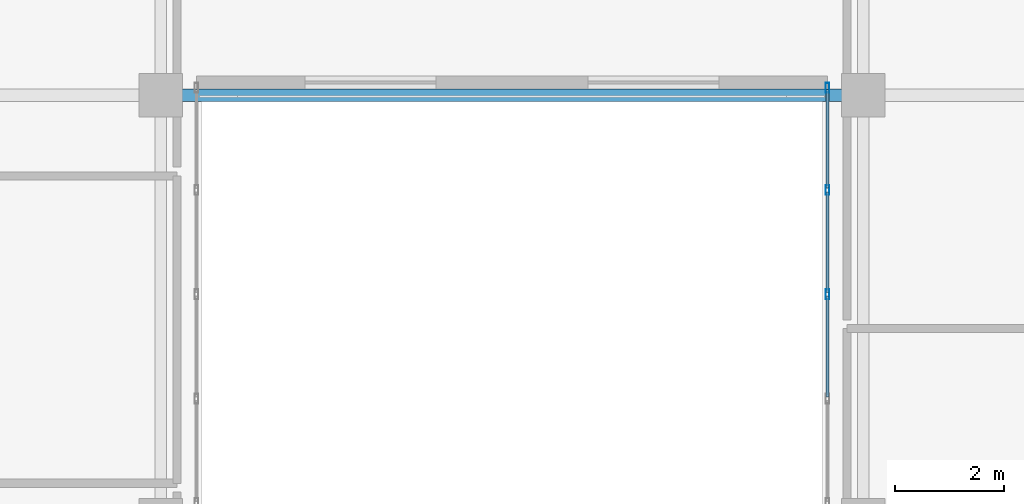
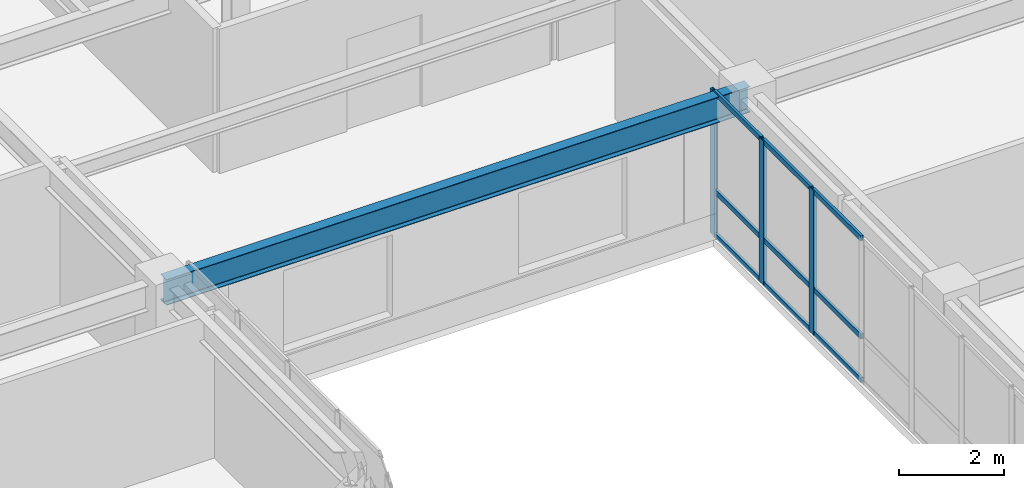
# One storey, part 6 of 20: 12 members, 1 beam, 1 element without a shape of its own.
"""IFC4 building model written with IfcOpenShell, lengths in metres."""

from ifc_helpers import new_model, si_unit, direction, frame, origin, origin_2d, place, context, subcontext, project, spatial, hollow_rectangle, i_section, extrude, source, transform, mapped, material, layer, layer_set, material_profile, profile_set, type_object, type_shapes, element, aggregate, save


model = new_model("IFC4")

# Units and contexts
model_context = context("Model", 3, precision=1e-05, world=origin(), true_north=direction((0.0, 1.0)))
body_context = subcontext(model_context, "Body", "Model", "MODEL_VIEW")
ifc_project = project(units=[si_unit("LENGTHUNIT", "METRE"), si_unit("AREAUNIT", "SQUARE_METRE"), si_unit("VOLUMEUNIT", "CUBIC_METRE"), si_unit("PLANEANGLEUNIT", "RADIAN"), si_unit("MASSUNIT", "GRAM", prefix="KILO")], contexts=[model_context])

# Site, building, storey
site_placement = place(None, origin())
site = spatial("IfcSite", under=ifc_project, at=site_placement, CompositionType="ELEMENT")
building_placement = place(site_placement, origin())
building = spatial("IfcBuilding", under=site, at=building_placement, Name="Tolvann Quenvar Hotel", CompositionType="ELEMENT")
storey_placement = place(building_placement, frame((0.0, 0.0, 191.10009765625)))
storey = spatial("IfcBuildingStorey", under=building, at=storey_placement, Name="L50", CompositionType="ELEMENT", Elevation=191.10009765625)

# Beam
ifc_material_1 = material(Name="Steel Grade 350", Category="steel")
ifc_material_profile_1 = material_profile(ifc_material_1, i_section(OverallWidth=0.22802734375, OverallDepth=0.60205078125, WebThickness=0.010498046875, FlangeThickness=0.014892578125, FilletRadius=0.013916015625, at=origin_2d()), Name="610UB101")
ifc_profile_set_1 = profile_set([ifc_material_profile_1], Name="Steel Grade 350")
beam_type = type_object("IfcBeamType", Name="BM_GIRD_610UB101", PredefinedType="BEAM", material=ifc_profile_set_1)
shared_shape_1 = source(origin(), body_context, "Body", "SweptSolid", [
    extrude(i_section(OverallWidth=0.22802734375, OverallDepth=0.60205078125, WebThickness=0.010498046875, FlangeThickness=0.014892578125, FilletRadius=0.013916015625, at=origin_2d()), origin(), (0.0, 0.0, 1.0), 12.89990234375),
])
type_shapes(beam_type, [shared_shape_1])
beam_placement = place(storey_placement, frame((22.050048828125, 16.0, 3.06884765625), z_axis=(1.0, 0.0, 0.0), x_axis=(0.0, 1.0, 0.0)))
element("IfcBeam", 1, at=beam_placement, inside=storey, type_object=beam_type, Name="BM-L50-EW-4-E4-F4", PredefinedType="BEAM", context=body_context, shape_type="MappedRepresentation", body=[
    mapped(shared_shape_1, transform((0.0, 0.0, 0.0), x_axis=(1.0, 0.0, 0.0), y_axis=(0.0, 1.0, 0.0), z_axis=(0.0, 0.0, 1.0), scale=1.0)),
])

# Curtain wall, members
ifc_material_2 = material(Name="Thermally broken anodised architectural aluminium 6063-T6 and laminated low-E glass", Category="aluminium")
ifc_layer = layer(ifc_material_2, 0.179931640625)
ifc_layer_set = layer_set([ifc_layer], Name="Thermally broken anodised architectural aluminium 6063-T6 and laminated low-E glass")
curtain_wall_type = type_object("IfcCurtainWallType", Name="CW_SYS_SLOT_03", PredefinedType="USERDEFINED", material=ifc_layer_set)
curtain_wall_placement = place(storey_placement, origin())
curtain_wall = element("IfcCurtainWall", 2, at=curtain_wall_placement, inside=storey, type_object=curtain_wall_type, Name="Curtain Wall CW-SLOT-03 (CWR-L50-E07)", ObjectType="UNITISED CURTAIN WALL", PredefinedType="USERDEFINED")
ifc_material_3 = material(Name="Anodised architectural aluminium 6063-T6 framing", Category="aluminium")
ifc_material_profile_2 = material_profile(ifc_material_3, hollow_rectangle(XDim=0.070068359375, YDim=0.179931640625, WallThickness=0.00390625, at=origin_2d()), Name="180x70x4RHS")
ifc_profile_set_2 = profile_set([ifc_material_profile_2], Name="Anodised architectural aluminium 6063-T6 framing")
member_type_1 = type_object("IfcMemberType", Name="CW_MULL_180x70", PredefinedType="MULLION", material=ifc_profile_set_2)
shared_shape_2 = source(origin(), body_context, "Body", "SweptSolid", [
    extrude(hollow_rectangle(XDim=0.070068359375, YDim=0.179931640625, WallThickness=0.00390625, at=origin_2d()), origin(), (0.0, 0.0, 1.0), 3.369873046875),
])
type_shapes(member_type_1, [shared_shape_2])
member_1_placement = place(storey_placement, frame((34.2900390625, 16.139892578125, 0.0), z_axis=(0.0, 0.0, 1.0), x_axis=(1.0, 0.0, 0.0)))
member_1 = element("IfcMember", 3, at=member_1_placement, type_object=member_type_1, Name="CW-SLOT-03 mullion 1", PredefinedType="MULLION", context=body_context, shape_type="MappedRepresentation", body=[
    mapped(shared_shape_2, transform((0.0, 0.0, 0.0), x_axis=(1.0, 0.0, 0.0), y_axis=(0.0, 1.0, 0.0), z_axis=(0.0, 0.0, 1.0), scale=1.0)),
])
member_2_placement = place(storey_placement, frame((34.2900390625, 14.2607421875, 0.0), z_axis=(0.0, 0.0, 1.0), x_axis=(1.0, 0.0, 0.0)))
member_2 = element("IfcMember", 4, at=member_2_placement, type_object=member_type_1, Name="CW-SLOT-03 mullion 2", PredefinedType="MULLION", context=body_context, shape_type="MappedRepresentation", body=[
    mapped(shared_shape_2, transform((0.0, 0.0, 0.0), x_axis=(1.0, 0.0, 0.0), y_axis=(0.0, 1.0, 0.0), z_axis=(0.0, 0.0, 1.0), scale=1.0)),
])
member_3_placement = place(storey_placement, frame((34.2900390625, 12.346435546875, 0.0), z_axis=(0.0, 0.0, 1.0), x_axis=(1.0, 0.0, 0.0)))
member_3 = element("IfcMember", 5, at=member_3_placement, type_object=member_type_1, Name="CW-SLOT-03 mullion 3", PredefinedType="MULLION", context=body_context, shape_type="MappedRepresentation", body=[
    mapped(shared_shape_2, transform((0.0, 0.0, 0.0), x_axis=(1.0, 0.0, 0.0), y_axis=(0.0, 1.0, 0.0), z_axis=(0.0, 0.0, 1.0), scale=1.0)),
])
ifc_material_profile_3 = material_profile(ifc_material_3, hollow_rectangle(XDim=0.06005859375, YDim=0.1201171875, WallThickness=0.00341796875, at=origin_2d()), Name="120x60x3.5RHS")
ifc_profile_set_3 = profile_set([ifc_material_profile_3], Name="Anodised architectural aluminium 6063-T6 framing")
member_type_2 = type_object("IfcMemberType", Name="CW_TRAN_120x60", PredefinedType="USERDEFINED", material=ifc_profile_set_3)
shared_shape_3 = source(origin(), body_context, "Body", "SweptSolid", [
    extrude(hollow_rectangle(XDim=0.06005859375, YDim=0.1201171875, WallThickness=0.00341796875, at=origin_2d()), origin(), (0.0, 0.0, 1.0), 1.809326171875),
])
member_4_placement = place(storey_placement, frame((34.2900390625, 16.10498046875, 0.02978515625), z_axis=(0.0, -1.0, 0.0), x_axis=(1.0, 0.0, 0.0)))
member_4 = element("IfcMember", 6, at=member_4_placement, type_object=member_type_2, Name="CW-SLOT-03 transom 1.1", ObjectType="TRANSOM", PredefinedType="USERDEFINED", context=body_context, shape_type="MappedRepresentation", body=[
    mapped(shared_shape_3, transform((0.0, 0.0, 0.0), x_axis=(1.0, 0.0, 0.0), y_axis=(0.0, 1.0, 0.0), z_axis=(0.0, 0.0, 1.0), scale=1.0)),
])
member_5_placement = place(storey_placement, frame((34.2900390625, 16.10498046875, 1.0498046875), z_axis=(0.0, -1.0, 0.0), x_axis=(1.0, 0.0, 0.0)))
member_5 = element("IfcMember", 7, at=member_5_placement, type_object=member_type_2, Name="CW-SLOT-03 transom 1.2", ObjectType="TRANSOM", PredefinedType="USERDEFINED", context=body_context, shape_type="MappedRepresentation", body=[
    mapped(shared_shape_3, transform((0.0, 0.0, 0.0), x_axis=(1.0, 0.0, 0.0), y_axis=(0.0, 1.0, 0.0), z_axis=(0.0, 0.0, 1.0), scale=1.0)),
])
member_6_placement = place(storey_placement, frame((34.2900390625, 16.10498046875, 3.33984375), z_axis=(0.0, -1.0, 0.0), x_axis=(1.0, 0.0, 0.0)))
member_6 = element("IfcMember", 8, at=member_6_placement, type_object=member_type_2, Name="CW-SLOT-03 transom 1.3", ObjectType="TRANSOM", PredefinedType="USERDEFINED", context=body_context, shape_type="MappedRepresentation", body=[
    mapped(shared_shape_3, transform((0.0, 0.0, 0.0), x_axis=(1.0, 0.0, 0.0), y_axis=(0.0, 1.0, 0.0), z_axis=(0.0, 0.0, 1.0), scale=1.0)),
])
shared_shape_4 = source(origin(), body_context, "Body", "SweptSolid", [
    extrude(hollow_rectangle(XDim=0.06005859375, YDim=0.1201171875, WallThickness=0.00341796875, at=origin_2d()), origin(), (0.0, 0.0, 1.0), 1.844482421875),
])
type_shapes(member_type_2, [shared_shape_3, shared_shape_4])
member_7_placement = place(storey_placement, frame((34.2900390625, 14.225830078125, 0.02978515625), z_axis=(0.0, -1.0, 0.0), x_axis=(1.0, 0.0, 0.0)))
member_7 = element("IfcMember", 9, at=member_7_placement, type_object=member_type_2, Name="CW-SLOT-03 transom 2.1", ObjectType="TRANSOM", PredefinedType="USERDEFINED", context=body_context, shape_type="MappedRepresentation", body=[
    mapped(shared_shape_4, transform((0.0, 0.0, 0.0), x_axis=(1.0, 0.0, 0.0), y_axis=(0.0, 1.0, 0.0), z_axis=(0.0, 0.0, 1.0), scale=1.0)),
])
member_8_placement = place(storey_placement, frame((34.2900390625, 14.225830078125, 1.0498046875), z_axis=(0.0, -1.0, 0.0), x_axis=(1.0, 0.0, 0.0)))
member_8 = element("IfcMember", 10, at=member_8_placement, type_object=member_type_2, Name="CW-SLOT-03 transom 2.2", ObjectType="TRANSOM", PredefinedType="USERDEFINED", context=body_context, shape_type="MappedRepresentation", body=[
    mapped(shared_shape_4, transform((0.0, 0.0, 0.0), x_axis=(1.0, 0.0, 0.0), y_axis=(0.0, 1.0, 0.0), z_axis=(0.0, 0.0, 1.0), scale=1.0)),
])
member_9_placement = place(storey_placement, frame((34.2900390625, 14.225830078125, 3.33984375), z_axis=(0.0, -1.0, 0.0), x_axis=(1.0, 0.0, 0.0)))
member_9 = element("IfcMember", 11, at=member_9_placement, type_object=member_type_2, Name="CW-SLOT-03 transom 2.3", ObjectType="TRANSOM", PredefinedType="USERDEFINED", context=body_context, shape_type="MappedRepresentation", body=[
    mapped(shared_shape_4, transform((0.0, 0.0, 0.0), x_axis=(1.0, 0.0, 0.0), y_axis=(0.0, 1.0, 0.0), z_axis=(0.0, 0.0, 1.0), scale=1.0)),
])
member_10_placement = place(storey_placement, frame((34.2900390625, 12.3115234375, 0.02978515625), z_axis=(0.0, -1.0, 0.0), x_axis=(1.0, 0.0, 0.0)))
member_10 = element("IfcMember", 12, at=member_10_placement, type_object=member_type_2, Name="CW-SLOT-03 transom 3.1", ObjectType="TRANSOM", PredefinedType="USERDEFINED", context=body_context, shape_type="MappedRepresentation", body=[
    mapped(shared_shape_4, transform((0.0, 0.0, 0.0), x_axis=(1.0, 0.0, 0.0), y_axis=(0.0, 1.0, 0.0), z_axis=(0.0, 0.0, 1.0), scale=1.0)),
])
member_11_placement = place(storey_placement, frame((34.2900390625, 12.3115234375, 1.0498046875), z_axis=(0.0, -1.0, 0.0), x_axis=(1.0, 0.0, 0.0)))
member_11 = element("IfcMember", 13, at=member_11_placement, type_object=member_type_2, Name="CW-SLOT-03 transom 3.2", ObjectType="TRANSOM", PredefinedType="USERDEFINED", context=body_context, shape_type="MappedRepresentation", body=[
    mapped(shared_shape_4, transform((0.0, 0.0, 0.0), x_axis=(1.0, 0.0, 0.0), y_axis=(0.0, 1.0, 0.0), z_axis=(0.0, 0.0, 1.0), scale=1.0)),
])
member_12_placement = place(storey_placement, frame((34.2900390625, 12.3115234375, 3.33984375), z_axis=(0.0, -1.0, 0.0), x_axis=(1.0, 0.0, 0.0)))
member_12 = element("IfcMember", 14, at=member_12_placement, type_object=member_type_2, Name="CW-SLOT-03 transom 3.3", ObjectType="TRANSOM", PredefinedType="USERDEFINED", context=body_context, shape_type="MappedRepresentation", body=[
    mapped(shared_shape_4, transform((0.0, 0.0, 0.0), x_axis=(1.0, 0.0, 0.0), y_axis=(0.0, 1.0, 0.0), z_axis=(0.0, 0.0, 1.0), scale=1.0)),
])
aggregate(curtain_wall, [member_1, member_2, member_3, member_4, member_5, member_6, member_7, member_8, member_9, member_10, member_11, member_12])

save(model, "model.ifc")
